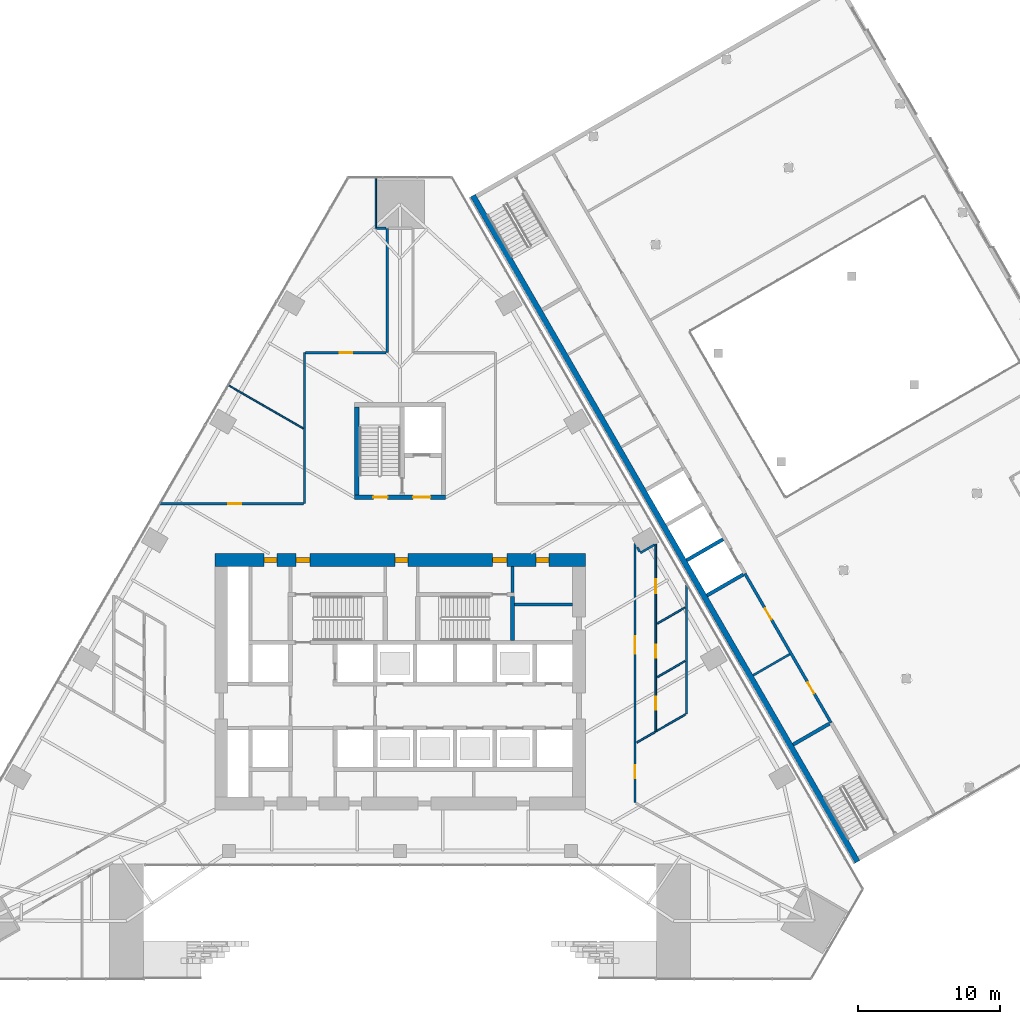
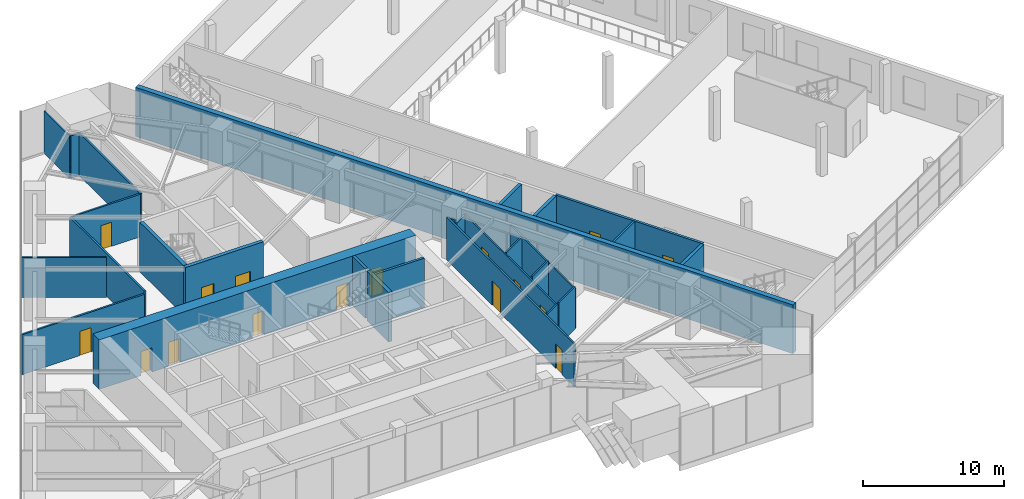
# One storey, part 19 of 30: 28 walls, 16 doors, 16 openings.
"""IFC4 building model written with IfcOpenShell, lengths in metres."""

from ifc_helpers import new_model, si_unit, direction, frame, frame_2d, origin, place, context, subcontext, project, spatial, rectangle, extrude, material, layer, layer_set, type_object, element, fill, save


model = new_model("IFC4")

# Units and contexts
model_context = context("Model", 3, precision=1e-05, world=origin(), true_north=direction((0.0, 1.0)))
body_context = subcontext(model_context, "Body", "Model", "MODEL_VIEW")
ifc_project = project(units=[si_unit("LENGTHUNIT", "METRE"), si_unit("AREAUNIT", "SQUARE_METRE"), si_unit("VOLUMEUNIT", "CUBIC_METRE"), si_unit("PLANEANGLEUNIT", "RADIAN"), si_unit("MASSUNIT", "GRAM", prefix="KILO")], contexts=[model_context])

# Site, building, storey
site_placement = place(None, origin())
site = spatial("IfcSite", under=ifc_project, at=site_placement, CompositionType="ELEMENT")
building_placement = place(site_placement, origin())
building = spatial("IfcBuilding", under=site, at=building_placement, Name="Firuza Gate Tower and Library", CompositionType="ELEMENT")
storey_placement = place(building_placement, frame((0.0, 0.0, 12.60009765625)))
storey = spatial("IfcBuildingStorey", under=building, at=storey_placement, Name="L02", CompositionType="ELEMENT", Elevation=12.60009765625)

# Walls
ifc_material_1 = material(Name="Plasterboard on steel studs", Category="steel")
ifc_layer_1 = layer(ifc_material_1, 0.199951171875)
ifc_layer_set_1 = layer_set([ifc_layer_1], Name="Core partition 200 EI 60")
wall_type_1 = type_object("IfcWallType", Name="Core partition 200 EI 60", PredefinedType="PARTITIONING", material=ifc_layer_set_1)
wall_1_placement = place(storey_placement, frame((83.050048828125, 80.425048828125, 0.0), z_axis=(0.0, 0.0, 1.0), x_axis=(1.0, 0.0, 0.0)))
element("IfcWall", 1, at=wall_1_placement, inside=storey, type_object=wall_type_1, Name="Core partition L02 4", PredefinedType="PARTITIONING", context=body_context, shape_type="SweptSolid", body=[
    extrude(rectangle(XDim=4.050048828125, YDim=0.199951171875, at=frame_2d((2.02490234375, 0.0))), origin(), (0.0, 0.0, 1.0), 4.2998046875),
])
wall_2_placement = place(storey_placement, frame((82.89990234375, 81.280029296875, 0.0), z_axis=(0.0, 0.0, 1.0), x_axis=(0.0, 1.0, 0.0)))
element("IfcWall", 2, at=wall_2_placement, inside=storey, type_object=wall_type_1, Name="Core partition L02 16", PredefinedType="PARTITIONING", context=body_context, shape_type="SweptSolid", body=[
    extrude(rectangle(XDim=1.820068359375, YDim=0.199951171875, at=frame_2d((0.91015625, 0.0))), origin(), (0.0, 0.0, 1.0), 4.2998046875),
])
ifc_material_2 = material(Name="Concrete C80/95", Category="concrete")
ifc_layer_2 = layer(ifc_material_2, 0.300048828125)
ifc_layer_set_2 = layer_set([ifc_layer_2], Name="Core wall 300 C80/95")
wall_type_2 = type_object("IfcWallType", Name="Core wall 300 C80/95", PredefinedType="SHEAR", material=ifc_layer_set_2)
wall_3_placement = place(storey_placement, frame((82.89990234375, 77.89990234375, 0.0), z_axis=(0.0, 0.0, 1.0), x_axis=(0.0, 1.0, 0.0)))
element("IfcWall", 3, at=wall_3_placement, inside=storey, type_object=wall_type_2, Name="Core wall L02 33", PredefinedType="SHEAR", context=body_context, shape_type="SweptSolid", body=[
    extrude(rectangle(XDim=3.080078125, YDim=0.300048828125, at=frame_2d((1.5400390625, 0.0))), origin(), (0.0, 0.0, 1.0), 4.2998046875),
])

# Wall, openings, doors
wall_4_placement = place(storey_placement, frame((71.800048828125, 87.949951171875, 0.0), z_axis=(0.0, 0.0, 1.0), x_axis=(1.0, 0.0, 0.0)))
wall_4 = element("IfcWall", 4, at=wall_4_placement, inside=storey, type_object=wall_type_2, Name="Core wall L02 34", PredefinedType="SHEAR", context=body_context, shape_type="SweptSolid", body=[
    extrude(rectangle(XDim=6.39990234375, YDim=0.300048828125, at=frame_2d((3.199951171875, 0.0))), origin(), (0.0, 0.0, 1.0), 4.2998046875),
])
opening_1_placement = place(wall_4_placement, frame((1.324951171875, 0.0, 0.0)))
opening_1 = element("IfcOpeningElement", 5, at=opening_1_placement, cuts=wall_4, Name="Opening L02-K17", PredefinedType="OPENING", context=body_context, shape_type="SweptSolid", body=[
    extrude(rectangle(XDim=1.0, YDim=2.10009765625, at=frame_2d((0.5, 1.050048828125))), frame((0.0, 0.16015625, 0.0), z_axis=(0.0, -1.0, 0.0), x_axis=(1.0, 0.0, 0.0)), (0.0, 0.0, 1.0), 0.320068359375),
])
opening_2_placement = place(wall_4_placement, frame((4.125, 0.0, 0.0)))
opening_2 = element("IfcOpeningElement", 6, at=opening_2_placement, cuts=wall_4, Name="Opening L02-K19", PredefinedType="OPENING", context=body_context, shape_type="SweptSolid", body=[
    extrude(rectangle(XDim=1.199951171875, YDim=2.10009765625, at=frame_2d((0.60009765625, 1.050048828125))), frame((0.0, 0.16015625, 0.0), z_axis=(0.0, -1.0, 0.0), x_axis=(1.0, 0.0, 0.0)), (0.0, 0.0, 1.0), 0.320068359375),
])
ifc_material_3 = material(Name="Steel", Category="steel")
door_type_1 = type_object("IfcDoorType", Name="Fire door 1000x2100 FD90", OperationType="NOTDEFINED", PredefinedType="DOOR", material=ifc_material_3)
door_1_placement = place(opening_1_placement, origin())
door_1 = element("IfcDoor", 7, at=door_1_placement, inside=storey, type_object=door_type_1, Name="Door L02-K17", OperationType="SINGLE_SWING_RIGHT", OverallHeight=2.10009765625, OverallWidth=1.0, PredefinedType="DOOR", context=body_context, shape_type="SweptSolid", body=[
    extrude(rectangle(XDim=1.0, YDim=2.10009765625, at=frame_2d((0.5, 1.050048828125))), frame((0.0, 0.02490234375, 0.0), z_axis=(0.0, -1.0, 0.0), x_axis=(1.0, 0.0, 0.0)), (0.0, 0.0, 1.0), 0.050048828125),
])
fill(opening_1, door_1)
ifc_material_4 = material(Name="Steel", Category="steel")
door_type_2 = type_object("IfcDoorType", Name="Fire door 1200x2100 FD30S", OperationType="NOTDEFINED", PredefinedType="DOOR", material=ifc_material_4)
door_2_placement = place(opening_2_placement, origin())
door_2 = element("IfcDoor", 8, at=door_2_placement, inside=storey, type_object=door_type_2, Name="Door L02-K19", OperationType="SINGLE_SWING_RIGHT", OverallHeight=2.10009765625, OverallWidth=1.199951171875, PredefinedType="DOOR", context=body_context, shape_type="SweptSolid", body=[
    extrude(rectangle(XDim=1.199951171875, YDim=2.10009765625, at=frame_2d((0.60009765625, 1.050048828125))), frame((0.0, 0.02490234375, 0.0), z_axis=(0.0, -1.0, 0.0), x_axis=(1.0, 0.0, 0.0)), (0.0, 0.0, 1.0), 0.050048828125),
])
fill(opening_2, door_2)

# Wall
wall_5_placement = place(storey_placement, frame((71.949951171875, 88.10009765625, 0.0), z_axis=(0.0, 0.0, 1.0), x_axis=(0.0, 1.0, 0.0)))
element("IfcWall", 9, at=wall_5_placement, inside=storey, type_object=wall_type_2, Name="Core wall L02 36", PredefinedType="SHEAR", context=body_context, shape_type="SweptSolid", body=[
    extrude(rectangle(XDim=6.199951171875, YDim=0.300048828125, at=frame_2d((3.10009765625, 0.0))), origin(), (0.0, 0.0, 1.0), 4.2998046875),
])

# Wall, openings, doors
ifc_material_5 = material(Name="Concrete C80/95", Category="concrete")
ifc_layer_3 = layer(ifc_material_5, 0.89990234375)
ifc_layer_set_3 = layer_set([ifc_layer_3], Name="Core wall 900 C80/95")
wall_type_3 = type_object("IfcWallType", Name="Core wall 900 C80/95", PredefinedType="SHEAR", material=ifc_layer_set_3)
wall_6_placement = place(storey_placement, frame((62.0, 83.550048828125, 0.0), z_axis=(0.0, 0.0, 1.0), x_axis=(1.0, 0.0, 0.0)))
wall_6 = element("IfcWall", 10, at=wall_6_placement, inside=storey, type_object=wall_type_3, Name="Core wall L02 2", PredefinedType="SHEAR", context=body_context, shape_type="SweptSolid", body=[
    extrude(rectangle(XDim=26.0, YDim=0.89990234375, at=frame_2d((13.0, 0.0))), origin(), (0.0, 0.0, 1.0), 4.2998046875),
])
opening_3_placement = place(wall_6_placement, frame((5.695068359375, 0.0, 0.0)))
opening_3 = element("IfcOpeningElement", 11, at=opening_3_placement, cuts=wall_6, Name="Opening L02-K14", PredefinedType="OPENING", context=body_context, shape_type="SweptSolid", body=[
    extrude(rectangle(XDim=1.0, YDim=2.10009765625, at=frame_2d((0.5, 1.050048828125))), frame((0.0, 0.4599609375, 0.0), z_axis=(0.0, -1.0, 0.0), x_axis=(1.0, 0.0, 0.0)), (0.0, 0.0, 1.0), 0.919921875),
])
opening_4_placement = place(wall_6_placement, frame((19.5048828125, 0.0, 0.0)))
opening_4 = element("IfcOpeningElement", 12, at=opening_4_placement, cuts=wall_6, Name="Opening L02-K16", PredefinedType="OPENING", context=body_context, shape_type="SweptSolid", body=[
    extrude(rectangle(XDim=1.0, YDim=2.10009765625, at=frame_2d((0.5, 1.050048828125))), frame((0.0, 0.4599609375, 0.0), z_axis=(0.0, -1.0, 0.0), x_axis=(1.0, 0.0, 0.0)), (0.0, 0.0, 1.0), 0.919921875),
])
opening_5_placement = place(wall_6_placement, frame((3.449951171875, 0.0, 0.0)))
opening_5 = element("IfcOpeningElement", 13, at=opening_5_placement, cuts=wall_6, Name="Opening L02-K29", PredefinedType="OPENING", context=body_context, shape_type="SweptSolid", body=[
    extrude(rectangle(XDim=0.89990234375, YDim=2.10009765625, at=frame_2d((0.449951171875, 1.050048828125))), frame((0.0, 0.4599609375, 0.0), z_axis=(0.0, -1.0, 0.0), x_axis=(1.0, 0.0, 0.0)), (0.0, 0.0, 1.0), 0.919921875),
])
opening_6_placement = place(wall_6_placement, frame((12.64990234375, 0.0, 0.0)))
opening_6 = element("IfcOpeningElement", 14, at=opening_6_placement, cuts=wall_6, Name="Opening L02-K30", PredefinedType="OPENING", context=body_context, shape_type="SweptSolid", body=[
    extrude(rectangle(XDim=0.89990234375, YDim=2.10009765625, at=frame_2d((0.449951171875, 1.050048828125))), frame((0.0, 0.4599609375, 0.0), z_axis=(0.0, -1.0, 0.0), x_axis=(1.0, 0.0, 0.0)), (0.0, 0.0, 1.0), 0.919921875),
])
opening_7_placement = place(wall_6_placement, frame((22.550048828125, 0.0, 0.0)))
opening_7 = element("IfcOpeningElement", 15, at=opening_7_placement, cuts=wall_6, Name="Opening L02-K32", PredefinedType="OPENING", context=body_context, shape_type="SweptSolid", body=[
    extrude(rectangle(XDim=0.89990234375, YDim=2.10009765625, at=frame_2d((0.449951171875, 1.050048828125))), frame((0.0, 0.4599609375, 0.0), z_axis=(0.0, -1.0, 0.0), x_axis=(1.0, 0.0, 0.0)), (0.0, 0.0, 1.0), 0.919921875),
])
door_3_placement = place(opening_3_placement, origin())
door_3 = element("IfcDoor", 16, at=door_3_placement, inside=storey, type_object=door_type_1, Name="Door L02-K14", OperationType="SINGLE_SWING_LEFT", OverallHeight=2.10009765625, OverallWidth=1.0, PredefinedType="DOOR", context=body_context, shape_type="SweptSolid", body=[
    extrude(rectangle(XDim=1.0, YDim=2.10009765625, at=frame_2d((0.5, 1.050048828125))), frame((0.0, 0.169921875, 0.0), z_axis=(0.0, -1.0, 0.0), x_axis=(1.0, 0.0, 0.0)), (0.0, 0.0, 1.0), 0.33984375),
])
fill(opening_3, door_3)
door_4_placement = place(opening_4_placement, origin())
door_4 = element("IfcDoor", 17, at=door_4_placement, inside=storey, type_object=door_type_1, Name="Door L02-K16", OperationType="SINGLE_SWING_LEFT", OverallHeight=2.10009765625, OverallWidth=1.0, PredefinedType="DOOR", context=body_context, shape_type="SweptSolid", body=[
    extrude(rectangle(XDim=1.0, YDim=2.10009765625, at=frame_2d((0.5, 1.050048828125))), frame((0.0, 0.169921875, 0.0), z_axis=(0.0, -1.0, 0.0), x_axis=(1.0, 0.0, 0.0)), (0.0, 0.0, 1.0), 0.33984375),
])
fill(opening_4, door_4)
ifc_material_6 = material(Name="Steel", Category="steel")
door_type_3 = type_object("IfcDoorType", Name="Fire door 900x2100 FD30S", OperationType="NOTDEFINED", PredefinedType="DOOR", material=ifc_material_6)
door_5_placement = place(opening_5_placement, origin())
door_5 = element("IfcDoor", 18, at=door_5_placement, inside=storey, type_object=door_type_3, Name="Door L02-K29", OperationType="SINGLE_SWING_RIGHT", OverallHeight=2.10009765625, OverallWidth=0.89990234375, PredefinedType="DOOR", context=body_context, shape_type="SweptSolid", body=[
    extrude(rectangle(XDim=0.89990234375, YDim=2.10009765625, at=frame_2d((0.449951171875, 1.050048828125))), frame((0.0, 0.169921875, 0.0), z_axis=(0.0, -1.0, 0.0), x_axis=(1.0, 0.0, 0.0)), (0.0, 0.0, 1.0), 0.33984375),
])
fill(opening_5, door_5)
door_6_placement = place(opening_6_placement, origin())
door_6 = element("IfcDoor", 19, at=door_6_placement, inside=storey, type_object=door_type_3, Name="Door L02-K30", OperationType="SINGLE_SWING_LEFT", OverallHeight=2.10009765625, OverallWidth=0.89990234375, PredefinedType="DOOR", context=body_context, shape_type="SweptSolid", body=[
    extrude(rectangle(XDim=0.89990234375, YDim=2.10009765625, at=frame_2d((0.449951171875, 1.050048828125))), frame((0.0, 0.169921875, 0.0), z_axis=(0.0, -1.0, 0.0), x_axis=(1.0, 0.0, 0.0)), (0.0, 0.0, 1.0), 0.33984375),
])
fill(opening_6, door_6)
door_7_placement = place(opening_7_placement, origin())
door_7 = element("IfcDoor", 20, at=door_7_placement, inside=storey, type_object=door_type_3, Name="Door L02-K32", OperationType="SINGLE_SWING_LEFT", OverallHeight=2.10009765625, OverallWidth=0.89990234375, PredefinedType="DOOR", context=body_context, shape_type="SweptSolid", body=[
    extrude(rectangle(XDim=0.89990234375, YDim=2.10009765625, at=frame_2d((0.449951171875, 1.050048828125))), frame((0.0, 0.169921875, 0.0), z_axis=(0.0, -1.0, 0.0), x_axis=(1.0, 0.0, 0.0)), (0.0, 0.0, 1.0), 0.33984375),
])
fill(opening_7, door_7)

# Wall, opening, door
ifc_material_7 = material(Name="Gypsum board partition")
ifc_layer_4 = layer(ifc_material_7, 0.14990234375)
ifc_layer_set_4 = layer_set([ifc_layer_4], Name="Corridor wall 150 double board on steel studs")
wall_type_4 = type_object("IfcWallType", Name="Corridor wall 150 double board on steel studs", PredefinedType="PARTITIONING", material=ifc_layer_set_4)
wall_7_placement = place(storey_placement, frame((58.1474609375, 87.499755859375, 0.0), z_axis=(0.0, 0.0, 1.0), x_axis=(1.0, 0.0, 0.0)))
wall_7 = element("IfcWall", 21, at=wall_7_placement, inside=storey, type_object=wall_type_4, Name="f:L02:w000", PredefinedType="PARTITIONING", context=body_context, shape_type="SweptSolid", body=[
    extrude(rectangle(XDim=10.07763671875, YDim=0.14990234375, at=frame_2d((5.038818359375, 0.0))), origin(), (0.0, 0.0, 1.0), 3.46484375),
])
opening_8_placement = place(wall_7_placement, frame((4.796630859375, 0.0, 0.0)))
opening_8 = element("IfcOpeningElement", 22, at=opening_8_placement, cuts=wall_7, Name="Opening L02-01", PredefinedType="OPENING", context=body_context, shape_type="SweptSolid", body=[
    extrude(rectangle(XDim=0.89990234375, YDim=2.10009765625, at=frame_2d((0.449951171875, 1.050048828125))), frame((0.0, 0.0849609375, 0.0), z_axis=(0.0, -1.0, 0.0), x_axis=(1.0, 0.0, 0.0)), (0.0, 0.0, 1.0), 0.169921875),
])
ifc_material_8 = material(Name="Steel door and timber leaf", Category="steel")
door_type_4 = type_object("IfcDoorType", Name="Fire door 900 x 2100 steel frame, timber leaf", OperationType="NOTDEFINED", PredefinedType="DOOR", material=ifc_material_8)
door_8_placement = place(opening_8_placement, origin())
door_8 = element("IfcDoor", 23, at=door_8_placement, inside=storey, type_object=door_type_4, Name="f:L02:d001", OperationType="SINGLE_SWING_RIGHT", OverallHeight=2.10009765625, OverallWidth=0.89990234375, PredefinedType="DOOR", context=body_context, shape_type="SweptSolid", body=[
    extrude(rectangle(XDim=0.89990234375, YDim=2.10009765625, at=frame_2d((0.449951171875, 1.050048828125))), frame((0.0, 0.02490234375, 0.0), z_axis=(0.0, -1.0, 0.0), x_axis=(1.0, 0.0, 0.0)), (0.0, 0.0, 1.0), 0.050048828125),
])
fill(opening_8, door_8)

wall_8_placement = place(storey_placement, frame((68.37548828125, 98.10009765625, 0.0), z_axis=(0.0, 0.0, 1.0), x_axis=(1.0, 0.0, 0.0)))
wall_8 = element("IfcWall", 24, at=wall_8_placement, inside=storey, type_object=wall_type_4, Name="f:L02:w002", PredefinedType="PARTITIONING", context=body_context, shape_type="SweptSolid", body=[
    extrude(rectangle(XDim=5.6494140625, YDim=0.14990234375, at=frame_2d((2.82470703125, 0.0))), origin(), (0.0, 0.0, 1.0), 3.699951171875),
])
opening_9_placement = place(wall_8_placement, frame((2.374755859375, 0.0, 0.0)))
opening_9 = element("IfcOpeningElement", 25, at=opening_9_placement, cuts=wall_8, Name="Opening L02-03", PredefinedType="OPENING", context=body_context, shape_type="SweptSolid", body=[
    extrude(rectangle(XDim=0.89990234375, YDim=2.10009765625, at=frame_2d((0.449951171875, 1.050048828125))), frame((0.0, 0.0849609375, 0.0), z_axis=(0.0, -1.0, 0.0), x_axis=(1.0, 0.0, 0.0)), (0.0, 0.0, 1.0), 0.169921875),
])
door_9_placement = place(opening_9_placement, origin())
door_9 = element("IfcDoor", 26, at=door_9_placement, inside=storey, type_object=door_type_4, Name="f:L02:d003", OperationType="SINGLE_SWING_LEFT", OverallHeight=2.10009765625, OverallWidth=0.89990234375, PredefinedType="DOOR", context=body_context, shape_type="SweptSolid", body=[
    extrude(rectangle(XDim=0.89990234375, YDim=2.10009765625, at=frame_2d((0.449951171875, 1.050048828125))), frame((0.0, 0.02490234375, 0.0), z_axis=(0.0, -1.0, 0.0), x_axis=(1.0, 0.0, 0.0)), (0.0, 0.0, 1.0), 0.050048828125),
])
fill(opening_9, door_9)

# Walls
wall_9_placement = place(storey_placement, frame((73.3505859375, 106.833984375, 0.0), z_axis=(0.0, 0.0, 1.0), x_axis=(1.0, 0.0, 0.0)))
element("IfcWall", 27, at=wall_9_placement, inside=storey, type_object=wall_type_4, Name="f:L02:w004", PredefinedType="PARTITIONING", context=body_context, shape_type="SweptSolid", body=[
    extrude(rectangle(XDim=0.67431640625, YDim=0.14990234375, at=frame_2d((0.337158203125, 0.0))), origin(), (0.0, 0.0, 1.0), 3.699951171875),
])
wall_10_placement = place(storey_placement, frame((91.87109375, 84.0478515625, 0.0), z_axis=(0.0, 0.0, 1.0), x_axis=(0.866027263711, 0.4999967785, 0.0)))
element("IfcWall", 28, at=wall_10_placement, inside=storey, type_object=wall_type_4, Name="f:L02:w010", PredefinedType="PARTITIONING", context=body_context, shape_type="SweptSolid", body=[
    extrude(rectangle(XDim=1.1298828125, YDim=0.14990234375, at=frame_2d((0.56494140625, 0.0))), origin(), (0.0, 0.0, 1.0), 3.46484375),
])

# Wall, openings, doors
wall_11_placement = place(storey_placement, frame((91.5, 84.6904296875, 0.0), z_axis=(0.0, 0.0, 1.0), x_axis=(0.0, -1.0, 0.0)))
wall_11 = element("IfcWall", 29, at=wall_11_placement, inside=storey, type_object=wall_type_4, Name="f:L02:w015", PredefinedType="PARTITIONING", context=body_context, shape_type="SweptSolid", body=[
    extrude(rectangle(XDim=18.177490234375, YDim=0.14990234375, at=frame_2d((9.0888671875, 0.0))), origin(), (0.0, 0.0, 1.0), 3.699951171875),
])
opening_10_placement = place(wall_11_placement, frame((6.51171875, 0.0, 0.0)))
opening_10 = element("IfcOpeningElement", 30, at=opening_10_placement, cuts=wall_11, Name="Opening L02-10", PredefinedType="OPENING", context=body_context, shape_type="SweptSolid", body=[
    extrude(rectangle(XDim=1.199951171875, YDim=2.10009765625, at=frame_2d((0.60009765625, 1.050048828125))), frame((0.0, 0.0849609375, 0.0), z_axis=(0.0, -1.0, 0.0), x_axis=(1.0, 0.0, 0.0)), (0.0, 0.0, 1.0), 0.169921875),
])
opening_11_placement = place(wall_11_placement, frame((15.547119140625, 0.0, 0.0)))
opening_11 = element("IfcOpeningElement", 31, at=opening_11_placement, cuts=wall_11, Name="Opening L02-11", PredefinedType="OPENING", context=body_context, shape_type="SweptSolid", body=[
    extrude(rectangle(XDim=0.89990234375, YDim=2.10009765625, at=frame_2d((0.449951171875, 1.050048828125))), frame((0.0, 0.0849609375, 0.0), z_axis=(0.0, -1.0, 0.0), x_axis=(1.0, 0.0, 0.0)), (0.0, 0.0, 1.0), 0.169921875),
])
ifc_material_9 = material(Name="Steel door and timber leaf", Category="steel")
door_type_5 = type_object("IfcDoorType", Name="Fire door 1200 x 2100 steel frame, double leaf", OperationType="NOTDEFINED", PredefinedType="DOOR", material=ifc_material_9)
door_10_placement = place(opening_10_placement, origin())
door_10 = element("IfcDoor", 32, at=door_10_placement, inside=storey, type_object=door_type_5, Name="f:L02:d010", OperationType="DOUBLE_DOOR_SINGLE_SWING", OverallHeight=2.10009765625, OverallWidth=1.199951171875, PredefinedType="DOOR", context=body_context, shape_type="SweptSolid", body=[
    extrude(rectangle(XDim=1.199951171875, YDim=2.10009765625, at=frame_2d((0.60009765625, 1.050048828125))), frame((0.0, 0.02490234375, 0.0), z_axis=(0.0, -1.0, 0.0), x_axis=(1.0, 0.0, 0.0)), (0.0, 0.0, 1.0), 0.050048828125),
])
fill(opening_10, door_10)
door_11_placement = place(opening_11_placement, origin())
door_11 = element("IfcDoor", 33, at=door_11_placement, inside=storey, type_object=door_type_4, Name="f:L02:d011", OperationType="SINGLE_SWING_RIGHT", OverallHeight=2.10009765625, OverallWidth=0.89990234375, PredefinedType="DOOR", context=body_context, shape_type="SweptSolid", body=[
    extrude(rectangle(XDim=0.89990234375, YDim=2.10009765625, at=frame_2d((0.449951171875, 1.050048828125))), frame((0.0, 0.02490234375, 0.0), z_axis=(0.0, -1.0, 0.0), x_axis=(1.0, 0.0, 0.0)), (0.0, 0.0, 1.0), 0.050048828125),
])
fill(opening_11, door_11)

# Walls
wall_12_placement = place(storey_placement, frame((74.10009765625, 98.10009765625, 0.0), z_axis=(0.0, 0.0, 1.0), x_axis=(0.0, 1.0, 0.0)))
element("IfcWall", 34, at=wall_12_placement, inside=storey, type_object=wall_type_4, Name="f:L02:w018", PredefinedType="PARTITIONING", context=body_context, shape_type="SweptSolid", body=[
    extrude(rectangle(XDim=8.733642578125, YDim=0.14990234375, at=frame_2d((4.36669921875, 0.0))), origin(), (0.0, 0.0, 1.0), 3.699951171875),
])
wall_13_placement = place(storey_placement, frame((68.300048828125, 87.5, 0.0), z_axis=(0.0, 0.0, 1.0), x_axis=(0.0, 1.0, 0.0)))
element("IfcWall", 35, at=wall_13_placement, inside=storey, type_object=wall_type_4, Name="f:L02:w020", PredefinedType="PARTITIONING", context=body_context, shape_type="SweptSolid", body=[
    extrude(rectangle(XDim=10.599609375, YDim=0.14990234375, at=frame_2d((5.2998046875, 0.0))), origin(), (0.0, 0.0, 1.0), 3.699951171875),
])
wall_14_placement = place(storey_placement, frame((91.828857421875, 84.12158203125, 0.0), z_axis=(0.0, 0.0, 1.0), x_axis=(-0.499759814377, 0.866164030617, 0.0)))
element("IfcWall", 36, at=wall_14_placement, inside=storey, type_object=wall_type_4, Name="f:L02:w025", PredefinedType="PARTITIONING", context=body_context, shape_type="SweptSolid", body=[
    extrude(rectangle(XDim=0.377197265625, YDim=0.14990234375, at=frame_2d((0.1884765625, 0.0))), origin(), (0.0, 0.0, 1.0), 3.699951171875),
])

# Wall, openings, doors
ifc_material_10 = material(Name="Masonry block", Category="masonry")
ifc_layer_5 = layer(ifc_material_10, 0.199951171875)
ifc_layer_set_5 = layer_set([ifc_layer_5], Name="LIB CORRIDOR WALL 200")
wall_type_5 = type_object("IfcWallType", Name="LIB CORRIDOR WALL 200", PredefinedType="PARTITIONING", material=ifc_layer_set_5)
wall_15_placement = place(storey_placement, frame((105.25, 72.124755859375, 0.0), z_axis=(0.0, 0.0, 1.0), x_axis=(-0.499996309931, 0.866027534236, 0.0)))
wall_15 = element("IfcWall", 37, at=wall_15_placement, inside=storey, type_object=wall_type_5, Name="L02 corr wall 6", PredefinedType="PARTITIONING", context=body_context, shape_type="SweptSolid", body=[
    extrude(rectangle(XDim=12.08984375, YDim=0.199951171875, at=frame_2d((6.044921875, 0.0))), origin(), (0.0, 0.0, 1.0), 4.239990234375),
])
opening_12_placement = place(wall_15_placement, frame((2.364990234375, 0.0, 0.0)))
opening_12 = element("IfcOpeningElement", 38, at=opening_12_placement, cuts=wall_15, Name="Opening LIB-D1-001", PredefinedType="OPENING", context=body_context, shape_type="SweptSolid", body=[
    extrude(rectangle(XDim=0.89990234375, YDim=2.10009765625, at=frame_2d((0.449951171875, 1.050048828125))), frame((0.0, 0.10986328125, 0.0), z_axis=(0.0, -1.0, 0.0), x_axis=(1.0, 0.0, 0.0)), (0.0, 0.0, 1.0), 0.219970703125),
])
opening_13_placement = place(wall_15_placement, frame((8.364990234375, 0.0, 0.0)))
opening_13 = element("IfcOpeningElement", 39, at=opening_13_placement, cuts=wall_15, Name="Opening LIB-D1-002", PredefinedType="OPENING", context=body_context, shape_type="SweptSolid", body=[
    extrude(rectangle(XDim=0.89990234375, YDim=2.10009765625, at=frame_2d((0.449951171875, 1.050048828125))), frame((0.0, 0.10986328125, 0.0), z_axis=(0.0, -1.0, 0.0), x_axis=(1.0, 0.0, 0.0)), (0.0, 0.0, 1.0), 0.219970703125),
])
ifc_material_11 = material(Name="Timber door leaf", Category="wood")
door_type_6 = type_object("IfcDoorType", Name="LIB DOOR 900", OperationType="NOTDEFINED", PredefinedType="DOOR", material=ifc_material_11)
door_12_placement = place(opening_12_placement, origin())
door_12 = element("IfcDoor", 40, at=door_12_placement, inside=storey, type_object=door_type_6, Name="L02 door 3", OperationType="SINGLE_SWING_LEFT", OverallHeight=2.10009765625, OverallWidth=0.89990234375, PredefinedType="DOOR", context=body_context, shape_type="SweptSolid", body=[
    extrude(rectangle(XDim=0.89990234375, YDim=2.10009765625, at=frame_2d((0.449951171875, 1.050048828125))), frame((0.0, 0.02490234375, 0.0), z_axis=(0.0, -1.0, 0.0), x_axis=(1.0, 0.0, 0.0)), (0.0, 0.0, 1.0), 0.050048828125),
])
fill(opening_12, door_12)
door_13_placement = place(opening_13_placement, origin())
door_13 = element("IfcDoor", 41, at=door_13_placement, inside=storey, type_object=door_type_6, Name="L02 door 4", OperationType="SINGLE_SWING_RIGHT", OverallHeight=2.10009765625, OverallWidth=0.89990234375, PredefinedType="DOOR", context=body_context, shape_type="SweptSolid", body=[
    extrude(rectangle(XDim=0.89990234375, YDim=2.10009765625, at=frame_2d((0.449951171875, 1.050048828125))), frame((0.0, 0.02490234375, 0.0), z_axis=(0.0, -1.0, 0.0), x_axis=(1.0, 0.0, 0.0)), (0.0, 0.0, 1.0), 0.050048828125),
])
fill(opening_13, door_13)

# Walls
ifc_material_12 = material(Name="Gypsum board on steel studs", Category="steel")
ifc_layer_6 = layer(ifc_material_12, 0.14990234375)
ifc_layer_set_6 = layer_set([ifc_layer_6], Name="LIB PARTITION 150")
wall_type_6 = type_object("IfcWallType", Name="LIB PARTITION 150", PredefinedType="PARTITIONING", material=ifc_layer_set_6)
wall_16_placement = place(storey_placement, frame((99.779296875, 75.449951171875, 0.0), z_axis=(0.0, 0.0, 1.0), x_axis=(0.866017493347, 0.500013701029, 0.0)))
element("IfcWall", 42, at=wall_16_placement, inside=storey, type_object=wall_type_6, Name="L02 part wall 5", PredefinedType="PARTITIONING", context=body_context, shape_type="SweptSolid", body=[
    extrude(rectangle(XDim=2.97509765625, YDim=0.14990234375, at=frame_2d((1.487548828125, 0.0))), origin(), (0.0, 0.0, 1.0), 4.239990234375),
])
ifc_material_13 = material(Name="Concrete C40/50", Category="concrete")
ifc_layer_7 = layer(ifc_material_13, 0.25)
ifc_layer_set_7 = layer_set([ifc_layer_7], Name="LIB SHAFT WALL 250")
wall_type_7 = type_object("IfcWallType", Name="LIB SHAFT WALL 250", PredefinedType="SOLIDWALL", material=ifc_layer_set_7)
for number, where, z_axis, x_axis, name in (
    (43, (102.5869140625, 70.58740234375, 0.0), (0.0, 0.0, 1.0), (0.866039495442, 0.49997559174, 0.0), "L02 shaft wall 1"),
    (44, (96.5419921875, 81.0576171875, 0.0), (0.0, 0.0, 1.0), (0.866039495442, 0.49997559174, 0.0), "L02 shaft wall 8"),
    (45, (95.116943359375, 83.525634765625, 0.0), (0.0, 0.0, 1.0), (0.866003658127, 0.500037662692, 0.0), "L02 shaft wall 9"),
):
    element("IfcWall", number, at=place(storey_placement, frame(where, z_axis=z_axis, x_axis=x_axis)), inside=storey, type_object=wall_type_7, Name=name, PredefinedType="SOLIDWALL", context=body_context, shape_type="SweptSolid", body=[
        extrude(rectangle(XDim=2.949951171875, YDim=0.25, at=frame_2d((1.47509765625, 0.0))), origin(), (0.0, 0.0, 1.0), 4.239990234375),
    ])
ifc_material_14 = material(Name="Concrete C40/50", Category="concrete")
ifc_layer_8 = layer(ifc_material_14, 0.39990234375)
ifc_layer_set_8 = layer_set([ifc_layer_8], Name="LIB WEST WALL 400")
wall_type_8 = type_object("IfcWallType", Name="LIB WEST WALL 400", PredefinedType="SOLIDWALL", material=ifc_layer_set_8)
wall_17_placement = place(storey_placement, frame((107.106201171875, 62.359619140625, 0.0), z_axis=(0.0, 0.0, 1.0), x_axis=(-0.49999992739, 0.866025445706, 0.0)))
element("IfcWall", 46, at=wall_17_placement, inside=storey, type_object=wall_type_8, Name="L02 west bearing wall", PredefinedType="SOLIDWALL", context=body_context, shape_type="SweptSolid", body=[
    extrude(rectangle(XDim=54.0, YDim=0.39990234375, at=frame_2d((27.0, 0.0))), origin(), (0.0, 0.0, 1.0), 4.239990234375),
])
ifc_material_15 = material(Name="Gypsum board partition")
ifc_layer_9 = layer(ifc_material_15, 0.10009765625)
ifc_layer_set_9 = layer_set([ifc_layer_9], Name="Partition 100 gypsum board on steel studs")
wall_type_9 = type_object("IfcWallType", Name="Partition 100 gypsum board on steel studs", PredefinedType="PARTITIONING", material=ifc_layer_set_9)
wall_18_placement = place(storey_placement, frame((73.300048828125, 106.834228515625, 0.0), z_axis=(0.0, 0.0, 1.0), x_axis=(0.0, 1.0, 0.0)))
element("IfcWall", 47, at=wall_18_placement, inside=storey, type_object=wall_type_9, Name="f:L02:w019", PredefinedType="PARTITIONING", context=body_context, shape_type="SweptSolid", body=[
    extrude(rectangle(XDim=3.5595703125, YDim=0.10009765625, at=frame_2d((1.77978515625, 0.0))), origin(), (0.0, 0.0, 1.0), 3.699951171875),
])
wall_19_placement = place(storey_placement, frame((68.198974609375, 92.782958984375, 0.0), z_axis=(0.0, 0.0, 1.0), x_axis=(-0.866019294229, 0.500010581911, 0.0)))
element("IfcWall", 48, at=wall_19_placement, inside=storey, type_object=wall_type_9, Name="f:L02:w027", PredefinedType="PARTITIONING", context=body_context, shape_type="SweptSolid", body=[
    extrude(rectangle(XDim=6.063232421875, YDim=0.10009765625, at=frame_2d((3.03173828125, 0.0))), origin(), (0.0, 0.0, 1.0), 3.46484375),
])
ifc_material_16 = material(Name="Gypsum board partition")
ifc_layer_10 = layer(ifc_material_16, 0.1201171875)
ifc_layer_set_10 = layer_set([ifc_layer_10], Name="Wet-area partition 120 moisture-resistant board")
wall_type_10 = type_object("IfcWallType", Name="Wet-area partition 120 moisture-resistant board", PredefinedType="PARTITIONING", material=ifc_layer_set_10)
wall_20_placement = place(storey_placement, frame((91.609619140625, 70.733154296875, 0.0), z_axis=(0.0, 0.0, 1.0), x_axis=(0.865984448825, 0.500070929363, 0.0)))
element("IfcWall", 49, at=wall_20_placement, inside=storey, type_object=wall_type_10, Name="f:L02:w005", PredefinedType="PARTITIONING", context=body_context, shape_type="SweptSolid", body=[
    extrude(rectangle(XDim=1.495849609375, YDim=0.1201171875, at=frame_2d((0.748046875, 0.0))), origin(), (0.0, 0.0, 1.0), 3.699951171875),
])
wall_21_placement = place(storey_placement, frame((93.044677734375, 75.32275390625, 0.0), z_axis=(0.0, 0.0, 1.0), x_axis=(0.866058089564, 0.499943382296, 0.0)))
element("IfcWall", 50, at=wall_21_placement, inside=storey, type_object=wall_type_10, Name="f:L02:w006", PredefinedType="PARTITIONING", context=body_context, shape_type="SweptSolid", body=[
    extrude(rectangle(XDim=2.263916015625, YDim=0.1201171875, at=frame_2d((1.1318359375, 0.0))), origin(), (0.0, 0.0, 1.0), 3.699951171875),
])
wall_22_placement = place(storey_placement, frame((93.044677734375, 79.08349609375, 0.0), z_axis=(0.0, 0.0, 1.0), x_axis=(0.866011396007, 0.500024261398, 0.0)))
element("IfcWall", 51, at=wall_22_placement, inside=storey, type_object=wall_type_10, Name="f:L02:w007", PredefinedType="PARTITIONING", context=body_context, shape_type="SweptSolid", body=[
    extrude(rectangle(XDim=2.26416015625, YDim=0.1201171875, at=frame_2d((1.132080078125, 0.0))), origin(), (0.0, 0.0, 1.0), 3.46484375),
])
wall_23_placement = place(storey_placement, frame((95.10009765625, 72.748291015625, 0.0), z_axis=(0.0, 0.0, 1.0), x_axis=(0.0, 1.0, 0.0)))
element("IfcWall", 52, at=wall_23_placement, inside=storey, type_object=wall_type_10, Name="f:L02:w013", PredefinedType="PARTITIONING", context=body_context, shape_type="SweptSolid", body=[
    extrude(rectangle(XDim=9.126708984375, YDim=0.1201171875, at=frame_2d((4.5634765625, 0.0))), origin(), (0.0, 0.0, 1.0), 3.46484375),
])

# Wall, openings, doors
wall_24_placement = place(storey_placement, frame((92.949951171875, 71.507080078125, 0.0), z_axis=(0.0, 0.0, 1.0), x_axis=(0.0, 1.0, 0.0)))
wall_24 = element("IfcWall", 53, at=wall_24_placement, inside=storey, type_object=wall_type_10, Name="f:L02:w014", PredefinedType="PARTITIONING", context=body_context, shape_type="SweptSolid", body=[
    extrude(rectangle(XDim=13.16357421875, YDim=0.1201171875, at=frame_2d((6.581787109375, 0.0))), origin(), (0.0, 0.0, 1.0), 3.46484375),
])
opening_14_placement = place(wall_24_placement, frame((1.5322265625, 0.0, 0.0)))
opening_14 = element("IfcOpeningElement", 54, at=opening_14_placement, cuts=wall_24, Name="Opening L02-07", PredefinedType="OPENING", context=body_context, shape_type="SweptSolid", body=[
    extrude(rectangle(XDim=0.89990234375, YDim=2.10009765625, at=frame_2d((0.449951171875, 1.050048828125))), frame((0.0, 0.070068359375, 0.0), z_axis=(0.0, -1.0, 0.0), x_axis=(1.0, 0.0, 0.0)), (0.0, 0.0, 1.0), 0.14013671875),
])
opening_15_placement = place(wall_24_placement, frame((5.191650390625, 0.0, 0.0)))
opening_15 = element("IfcOpeningElement", 55, at=opening_15_placement, cuts=wall_24, Name="Opening L02-08", PredefinedType="OPENING", context=body_context, shape_type="SweptSolid", body=[
    extrude(rectangle(XDim=0.89990234375, YDim=2.10009765625, at=frame_2d((0.449951171875, 1.050048828125))), frame((0.0, 0.070068359375, 0.0), z_axis=(0.0, -1.0, 0.0), x_axis=(1.0, 0.0, 0.0)), (0.0, 0.0, 1.0), 0.14013671875),
])
opening_16_placement = place(wall_24_placement, frame((9.697021484375, 0.0, 0.0)))
opening_16 = element("IfcOpeningElement", 56, at=opening_16_placement, cuts=wall_24, Name="Opening L02-09", PredefinedType="OPENING", context=body_context, shape_type="SweptSolid", body=[
    extrude(rectangle(XDim=1.0, YDim=2.10009765625, at=frame_2d((0.5, 1.050048828125))), frame((0.0, 0.070068359375, 0.0), z_axis=(0.0, -1.0, 0.0), x_axis=(1.0, 0.0, 0.0)), (0.0, 0.0, 1.0), 0.14013671875),
])
ifc_material_17 = material(Name="Timber door", Category="wood")
door_type_7 = type_object("IfcDoorType", Name="Door 1000 x 2100 timber leaf", OperationType="NOTDEFINED", PredefinedType="DOOR", material=ifc_material_17)
door_14_placement = place(opening_16_placement, origin())
door_14 = element("IfcDoor", 57, at=door_14_placement, inside=storey, type_object=door_type_7, Name="f:L02:d009", OperationType="SINGLE_SWING_LEFT", OverallHeight=2.10009765625, OverallWidth=1.0, PredefinedType="DOOR", context=body_context, shape_type="SweptSolid", body=[
    extrude(rectangle(XDim=1.0, YDim=2.10009765625, at=frame_2d((0.5, 1.050048828125))), frame((0.0, 0.02490234375, 0.0), z_axis=(0.0, -1.0, 0.0), x_axis=(1.0, 0.0, 0.0)), (0.0, 0.0, 1.0), 0.050048828125),
])
fill(opening_16, door_14)
ifc_material_18 = material(Name="Timber door", Category="wood")
door_type_8 = type_object("IfcDoorType", Name="Door 900 x 2100 timber leaf", OperationType="NOTDEFINED", PredefinedType="DOOR", material=ifc_material_18)
door_15_placement = place(opening_14_placement, origin())
door_15 = element("IfcDoor", 58, at=door_15_placement, inside=storey, type_object=door_type_8, Name="f:L02:d007", OperationType="SINGLE_SWING_LEFT", OverallHeight=2.10009765625, OverallWidth=0.89990234375, PredefinedType="DOOR", context=body_context, shape_type="SweptSolid", body=[
    extrude(rectangle(XDim=0.89990234375, YDim=2.10009765625, at=frame_2d((0.449951171875, 1.050048828125))), frame((0.0, 0.02490234375, 0.0), z_axis=(0.0, -1.0, 0.0), x_axis=(1.0, 0.0, 0.0)), (0.0, 0.0, 1.0), 0.050048828125),
])
fill(opening_14, door_15)
door_16_placement = place(opening_15_placement, origin())
door_16 = element("IfcDoor", 59, at=door_16_placement, inside=storey, type_object=door_type_8, Name="f:L02:d008", OperationType="SINGLE_SWING_RIGHT", OverallHeight=2.10009765625, OverallWidth=0.89990234375, PredefinedType="DOOR", context=body_context, shape_type="SweptSolid", body=[
    extrude(rectangle(XDim=0.89990234375, YDim=2.10009765625, at=frame_2d((0.449951171875, 1.050048828125))), frame((0.0, 0.02490234375, 0.0), z_axis=(0.0, -1.0, 0.0), x_axis=(1.0, 0.0, 0.0)), (0.0, 0.0, 1.0), 0.050048828125),
])
fill(opening_15, door_16)

# Wall
wall_25_placement = place(storey_placement, frame((93.0400390625, 71.55908203125, 0.0), z_axis=(0.0, 0.0, 1.0), x_axis=(0.866009537788, 0.500027479704, 0.0)))
element("IfcWall", 60, at=wall_25_placement, inside=storey, type_object=wall_type_10, Name="f:L02:w035", PredefinedType="PARTITIONING", context=body_context, shape_type="SweptSolid", body=[
    extrude(rectangle(XDim=2.309326171875, YDim=0.1201171875, at=frame_2d((1.15478515625, 0.0))), origin(), (0.0, 0.0, 1.0), 3.699951171875),
])

save(model, "model.ifc")
